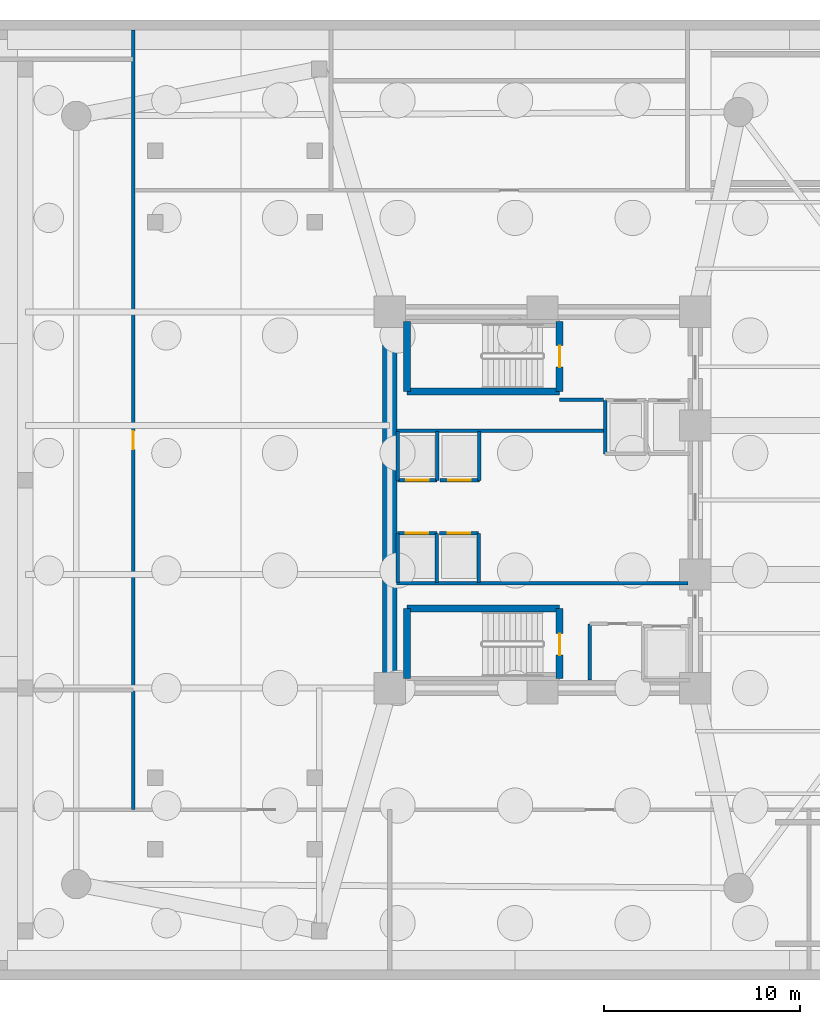
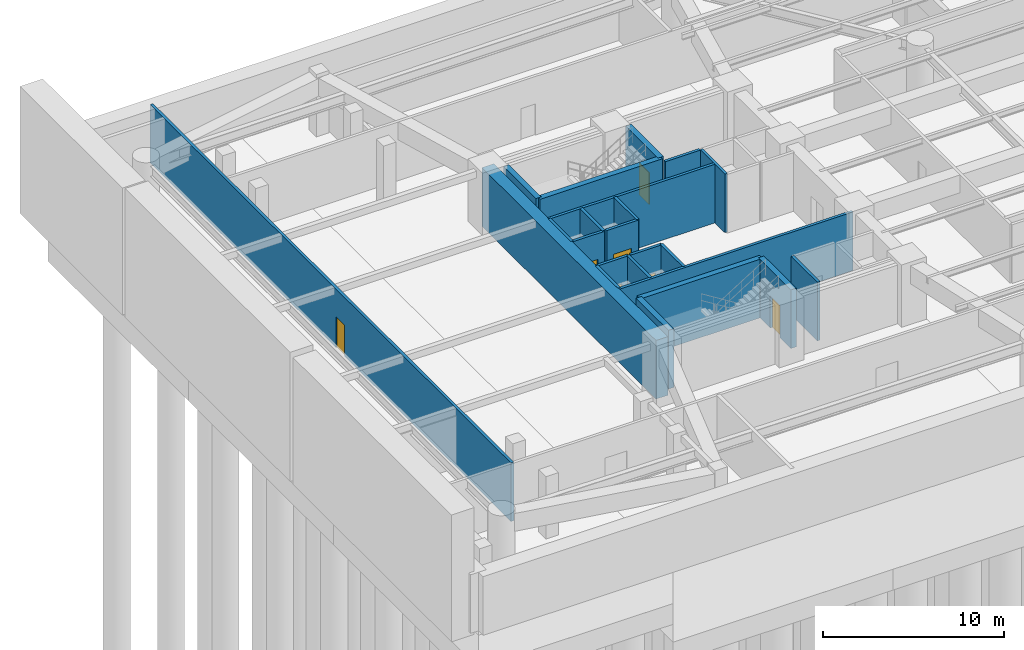
# One storey, part 3 of 8: 23 walls, 7 doors, 7 openings.
"""IFC4 building model written with IfcOpenShell, lengths in metres."""

from ifc_helpers import new_model, si_unit, direction, frame, frame_2d, origin, place, context, subcontext, project, spatial, rectangle, extrude, material, layer, layer_set, type_object, element, fill, save


model = new_model("IFC4")

# Units and contexts
model_context = context("Model", 3, precision=1e-05, world=origin(), true_north=direction((0.0, 1.0)))
body_context = subcontext(model_context, "Body", "Model", "MODEL_VIEW")
ifc_project = project(units=[si_unit("LENGTHUNIT", "METRE"), si_unit("AREAUNIT", "SQUARE_METRE"), si_unit("VOLUMEUNIT", "CUBIC_METRE"), si_unit("PLANEANGLEUNIT", "RADIAN"), si_unit("MASSUNIT", "GRAM", prefix="KILO")], contexts=[model_context])

# Site, building, storey
site_placement = place(None, origin())
site = spatial("IfcSite", under=ifc_project, at=site_placement, CompositionType="ELEMENT")
building_placement = place(site_placement, origin())
building = spatial("IfcBuilding", under=site, at=building_placement, Name="An Khanh Terracotta Commons", CompositionType="ELEMENT")
storey_placement = place(building_placement, frame((0.0, 0.0, -8.39990234375)))
storey = spatial("IfcBuildingStorey", under=building, at=storey_placement, Name="B02", CompositionType="ELEMENT", Elevation=-8.39990234375)

# Walls
ifc_material_1 = material(Name="Concrete C70/85", Category="concrete")
ifc_layer_1 = layer(ifc_material_1, 0.75, Name="Concrete C70/85")
ifc_layer_set_1 = layer_set([ifc_layer_1], Name="Concrete C70/85")
wall_type_1 = type_object("IfcWallType", Name="WALL-CORE-750", PredefinedType="SHEAR", material=ifc_layer_set_1)
wall_1_placement = place(storey_placement, frame((21.60009765625, 14.39990234375, 0.0), z_axis=(0.0, 0.0, 1.0), x_axis=(0.0, 1.0, 0.0)))
element("IfcWall", 1, at=wall_1_placement, inside=storey, type_object=wall_type_1, Name="B02 Core Wall CWALL-B02-W", PredefinedType="SHEAR", context=body_context, shape_type="SweptSolid", body=[
    extrude(rectangle(XDim=19.2001953125, YDim=0.75, at=frame_2d((9.60009765625, 0.0))), origin(), (0.0, 0.0, 1.0), 3.949951171875),
])
ifc_material_2 = material(Name="Fire-Rated Gypsum Board on Steel Stud", Category="steel")
ifc_layer_2 = layer(ifc_material_2, 0.179931640625, Name="Fire-Rated Gypsum Board on Steel Stud")
ifc_layer_set_2 = layer_set([ifc_layer_2], Name="Fire-Rated Gypsum Board on Steel Stud")
wall_type_2 = type_object("IfcWallType", Name="WALL-CORR-180", PredefinedType="PARTITIONING", material=ifc_layer_set_2)
wall_2_placement = place(storey_placement, frame((30.27001953125, 29.1201171875, 0.0), z_axis=(0.0, 0.0, 1.0), x_axis=(1.0, 0.0, 0.0)))
element("IfcWall", 2, at=wall_2_placement, inside=storey, type_object=wall_type_2, Name="B02 Core Wall FFLW-B02-S", PredefinedType="PARTITIONING", context=body_context, shape_type="SweptSolid", body=[
    extrude(rectangle(XDim=2.239990234375, YDim=0.179931640625, at=frame_2d((1.1201171875, 0.0))), origin(), (0.0, 0.0, 1.0), 3.949951171875),
])
wall_3_placement = place(storey_placement, frame((21.949951171875, 27.5400390625, 0.0), z_axis=(0.0, 0.0, 1.0), x_axis=(1.0, 0.0, 0.0)))
element("IfcWall", 3, at=wall_3_placement, inside=storey, type_object=wall_type_2, Name="B02 Core Wall RSRW-B02-S", PredefinedType="PARTITIONING", context=body_context, shape_type="SweptSolid", body=[
    extrude(rectangle(XDim=10.56005859375, YDim=0.179931640625, at=frame_2d((5.280029296875, 0.0))), origin(), (0.0, 0.0, 1.0), 3.949951171875),
])
wall_4_placement = place(storey_placement, frame((21.949951171875, 19.760009765625, 0.0), z_axis=(0.0, 0.0, 1.0), x_axis=(1.0, 0.0, 0.0)))
element("IfcWall", 4, at=wall_4_placement, inside=storey, type_object=wall_type_2, Name="B02 Core Wall SVW-B02-N", PredefinedType="PARTITIONING", context=body_context, shape_type="SweptSolid", body=[
    extrude(rectangle(XDim=14.8701171875, YDim=0.179931640625, at=frame_2d((7.43505859375, 0.0))), origin(), (0.0, 0.0, 1.0), 3.949951171875),
])
wall_5_placement = place(storey_placement, frame((31.820068359375, 14.800048828125, 0.0), z_axis=(0.0, 0.0, 1.0), x_axis=(0.0, 1.0, 0.0)))
element("IfcWall", 5, at=wall_5_placement, inside=storey, type_object=wall_type_2, Name="B02 Core Wall SSVCW-B02-W", PredefinedType="PARTITIONING", context=body_context, shape_type="SweptSolid", body=[
    extrude(rectangle(XDim=2.8798828125, YDim=0.179931640625, at=frame_2d((1.43994140625, 0.0))), origin(), (0.0, 0.0, 1.0), 3.949951171875),
])
wall_6_placement = place(storey_placement, frame((32.60009765625, 29.080078125, 0.0), z_axis=(0.0, 0.0, 1.0), x_axis=(0.0, -1.0, 0.0)))
element("IfcWall", 6, at=wall_6_placement, inside=storey, type_object=wall_type_2, Name="B02 Core Wall LSH-B02-FFL-01-W", PredefinedType="PARTITIONING", context=body_context, shape_type="SweptSolid", body=[
    extrude(rectangle(XDim=2.72998046875, YDim=0.179931640625, at=frame_2d((1.364990234375, 0.0))), origin(), (0.0, 0.0, 1.0), 3.949951171875),
])

# Wall, opening, door
wall_7_placement = place(storey_placement, frame((24.02001953125, 25.0, 0.0), z_axis=(0.0, 0.0, 1.0), x_axis=(-1.0, 0.0, 0.0)))
wall_7 = element("IfcWall", 7, at=wall_7_placement, inside=storey, type_object=wall_type_2, Name="B02 Core Wall LSH-B02-PL-L1-S", PredefinedType="PARTITIONING", context=body_context, shape_type="SweptSolid", body=[
    extrude(rectangle(XDim=2.02001953125, YDim=0.179931640625, at=frame_2d((1.010009765625, 0.0))), origin(), (0.0, 0.0, 1.0), 3.949951171875),
])
opening_1_placement = place(wall_7_placement, frame((0.43505859375, 0.0, 0.0)))
opening_1 = element("IfcOpeningElement", 8, at=opening_1_placement, cuts=wall_7, Name="Opening LD-PL-L1-B02", PredefinedType="OPENING", context=body_context, shape_type="SweptSolid", body=[
    extrude(rectangle(XDim=1.14990234375, YDim=2.199951171875, at=frame_2d((0.574951171875, 1.10009765625))), frame((0.0, 0.099853515625, 0.0), z_axis=(0.0, -1.0, 0.0), x_axis=(1.0, 0.0, 0.0)), (0.0, 0.0, 1.0), 0.199951171875),
])
ifc_material_3 = material(Name="Brushed Stainless Steel Passenger Landing Door", Category="steel")
door_type_1 = type_object("IfcDoorType", Name="DOOR-LD-PAX-1150", OperationType="NOTDEFINED", PredefinedType="DOOR", material=ifc_material_3)
door_1_placement = place(opening_1_placement, origin())
door_1 = element("IfcDoor", 9, at=door_1_placement, inside=storey, type_object=door_type_1, Name="B02 Lift PL-L1 Sliding Landing Door", OperationType="DOUBLE_DOOR_SLIDING", OverallHeight=2.199951171875, OverallWidth=1.14990234375, PredefinedType="DOOR", context=body_context, shape_type="SweptSolid", body=[
    extrude(rectangle(XDim=1.14990234375, YDim=2.199951171875, at=frame_2d((0.574951171875, 1.10009765625))), frame((0.0, 0.02490234375, 0.0), z_axis=(0.0, -1.0, 0.0), x_axis=(1.0, 0.0, 0.0)), (0.0, 0.0, 1.0), 0.050048828125),
])
fill(opening_1, door_1)

# Walls
for number, where, z_axis, x_axis, name in (
    (10, (24.02001953125, 25.0, 0.0), (0.0, 0.0, 1.0), (0.0, 1.0, 0.0), "B02 Core Wall LSH-B02-PL-L1-E"),
    (11, (22.0, 27.5, 0.0), (0.0, 0.0, 1.0), (0.0, -1.0, 0.0), "B02 Core Wall LSH-B02-PL-L1-W"),
):
    element("IfcWall", number, at=place(storey_placement, frame(where, z_axis=z_axis, x_axis=x_axis)), inside=storey, type_object=wall_type_2, Name=name, PredefinedType="PARTITIONING", context=body_context, shape_type="SweptSolid", body=[
        extrude(rectangle(XDim=2.5, YDim=0.179931640625, at=frame_2d((1.25, 0.0))), origin(), (0.0, 0.0, 1.0), 3.949951171875),
    ])

# Wall, opening, door
wall_8_placement = place(storey_placement, frame((26.179931640625, 25.0, 0.0), z_axis=(0.0, 0.0, 1.0), x_axis=(-1.0, 0.0, 0.0)))
wall_8 = element("IfcWall", 12, at=wall_8_placement, inside=storey, type_object=wall_type_2, Name="B02 Core Wall LSH-B02-PL-L2-S", PredefinedType="PARTITIONING", context=body_context, shape_type="SweptSolid", body=[
    extrude(rectangle(XDim=2.02001953125, YDim=0.179931640625, at=frame_2d((1.010009765625, 0.0))), origin(), (0.0, 0.0, 1.0), 3.949951171875),
])
opening_2_placement = place(wall_8_placement, frame((0.43505859375, 0.0, 0.0)))
opening_2 = element("IfcOpeningElement", 13, at=opening_2_placement, cuts=wall_8, Name="Opening LD-PL-L2-B02", PredefinedType="OPENING", context=body_context, shape_type="SweptSolid", body=[
    extrude(rectangle(XDim=1.14990234375, YDim=2.199951171875, at=frame_2d((0.574951171875, 1.10009765625))), frame((0.0, 0.099853515625, 0.0), z_axis=(0.0, -1.0, 0.0), x_axis=(1.0, 0.0, 0.0)), (0.0, 0.0, 1.0), 0.199951171875),
])
door_2_placement = place(opening_2_placement, origin())
door_2 = element("IfcDoor", 14, at=door_2_placement, inside=storey, type_object=door_type_1, Name="B02 Lift PL-L2 Sliding Landing Door", OperationType="DOUBLE_DOOR_SLIDING", OverallHeight=2.199951171875, OverallWidth=1.14990234375, PredefinedType="DOOR", context=body_context, shape_type="SweptSolid", body=[
    extrude(rectangle(XDim=1.14990234375, YDim=2.199951171875, at=frame_2d((0.574951171875, 1.10009765625))), frame((0.0, 0.02490234375, 0.0), z_axis=(0.0, -1.0, 0.0), x_axis=(1.0, 0.0, 0.0)), (0.0, 0.0, 1.0), 0.050048828125),
])
fill(opening_2, door_2)

# Wall
wall_9_placement = place(storey_placement, frame((26.179931640625, 25.0, 0.0), z_axis=(0.0, 0.0, 1.0), x_axis=(0.0, 1.0, 0.0)))
element("IfcWall", 15, at=wall_9_placement, inside=storey, type_object=wall_type_2, Name="B02 Core Wall LSH-B02-PL-L2-E", PredefinedType="PARTITIONING", context=body_context, shape_type="SweptSolid", body=[
    extrude(rectangle(XDim=2.5, YDim=0.179931640625, at=frame_2d((1.25, 0.0))), origin(), (0.0, 0.0, 1.0), 3.949951171875),
])

# Wall, opening, door
wall_10_placement = place(storey_placement, frame((22.0, 22.300048828125, 0.0), z_axis=(0.0, 0.0, 1.0), x_axis=(1.0, 0.0, 0.0)))
wall_10 = element("IfcWall", 16, at=wall_10_placement, inside=storey, type_object=wall_type_2, Name="B02 Core Wall LSH-B02-PL-L3-N", PredefinedType="PARTITIONING", context=body_context, shape_type="SweptSolid", body=[
    extrude(rectangle(XDim=2.0, YDim=0.179931640625, at=frame_2d((1.0, 0.0))), origin(), (0.0, 0.0, 1.0), 3.949951171875),
])
opening_3_placement = place(wall_10_placement, frame((0.425048828125, 0.0, 0.0)))
opening_3 = element("IfcOpeningElement", 17, at=opening_3_placement, cuts=wall_10, Name="Opening LD-PL-L3-B02", PredefinedType="OPENING", context=body_context, shape_type="SweptSolid", body=[
    extrude(rectangle(XDim=1.14990234375, YDim=2.199951171875, at=frame_2d((0.574951171875, 1.10009765625))), frame((0.0, 0.099853515625, 0.0), z_axis=(0.0, -1.0, 0.0), x_axis=(1.0, 0.0, 0.0)), (0.0, 0.0, 1.0), 0.199951171875),
])
door_3_placement = place(opening_3_placement, origin())
door_3 = element("IfcDoor", 18, at=door_3_placement, inside=storey, type_object=door_type_1, Name="B02 Lift PL-L3 Sliding Landing Door", OperationType="DOUBLE_DOOR_SLIDING", OverallHeight=2.199951171875, OverallWidth=1.14990234375, PredefinedType="DOOR", context=body_context, shape_type="SweptSolid", body=[
    extrude(rectangle(XDim=1.14990234375, YDim=2.199951171875, at=frame_2d((0.574951171875, 1.10009765625))), frame((0.0, 0.02490234375, 0.0), z_axis=(0.0, -1.0, 0.0), x_axis=(1.0, 0.0, 0.0)), (0.0, 0.0, 1.0), 0.050048828125),
])
fill(opening_3, door_3)

# Walls
for number, where, z_axis, x_axis, name in (
    (19, (24.0, 19.800048828125, 0.0), (0.0, 0.0, 1.0), (0.0, 1.0, 0.0), "B02 Core Wall LSH-B02-PL-L3-E"),
    (20, (22.0, 22.300048828125, 0.0), (0.0, 0.0, 1.0), (0.0, -1.0, 0.0), "B02 Core Wall LSH-B02-PL-L3-W"),
):
    element("IfcWall", number, at=place(storey_placement, frame(where, z_axis=z_axis, x_axis=x_axis)), inside=storey, type_object=wall_type_2, Name=name, PredefinedType="PARTITIONING", context=body_context, shape_type="SweptSolid", body=[
        extrude(rectangle(XDim=2.5, YDim=0.179931640625, at=frame_2d((1.25, 0.0))), origin(), (0.0, 0.0, 1.0), 3.949951171875),
    ])

# Wall, opening, door
wall_11_placement = place(storey_placement, frame((24.139892578125, 22.300048828125, 0.0), z_axis=(0.0, 0.0, 1.0), x_axis=(1.0, 0.0, 0.0)))
wall_11 = element("IfcWall", 21, at=wall_11_placement, inside=storey, type_object=wall_type_2, Name="B02 Core Wall LSH-B02-PL-L4-N", PredefinedType="PARTITIONING", context=body_context, shape_type="SweptSolid", body=[
    extrude(rectangle(XDim=2.0, YDim=0.179931640625, at=frame_2d((1.0, 0.0))), origin(), (0.0, 0.0, 1.0), 3.949951171875),
])
opening_4_placement = place(wall_11_placement, frame((0.425048828125, 0.0, 0.0)))
opening_4 = element("IfcOpeningElement", 22, at=opening_4_placement, cuts=wall_11, Name="Opening LD-PL-L4-B02", PredefinedType="OPENING", context=body_context, shape_type="SweptSolid", body=[
    extrude(rectangle(XDim=1.14990234375, YDim=2.199951171875, at=frame_2d((0.574951171875, 1.10009765625))), frame((0.0, 0.099853515625, 0.0), z_axis=(0.0, -1.0, 0.0), x_axis=(1.0, 0.0, 0.0)), (0.0, 0.0, 1.0), 0.199951171875),
])
door_4_placement = place(opening_4_placement, origin())
door_4 = element("IfcDoor", 23, at=door_4_placement, inside=storey, type_object=door_type_1, Name="B02 Lift PL-L4 Sliding Landing Door", OperationType="DOUBLE_DOOR_SLIDING", OverallHeight=2.199951171875, OverallWidth=1.14990234375, PredefinedType="DOOR", context=body_context, shape_type="SweptSolid", body=[
    extrude(rectangle(XDim=1.14990234375, YDim=2.199951171875, at=frame_2d((0.574951171875, 1.10009765625))), frame((0.0, 0.02490234375, 0.0), z_axis=(0.0, -1.0, 0.0), x_axis=(1.0, 0.0, 0.0)), (0.0, 0.0, 1.0), 0.050048828125),
])
fill(opening_4, door_4)

# Wall
wall_12_placement = place(storey_placement, frame((26.139892578125, 19.800048828125, 0.0), z_axis=(0.0, 0.0, 1.0), x_axis=(0.0, 1.0, 0.0)))
element("IfcWall", 24, at=wall_12_placement, inside=storey, type_object=wall_type_2, Name="B02 Core Wall LSH-B02-PL-L4-E", PredefinedType="PARTITIONING", context=body_context, shape_type="SweptSolid", body=[
    extrude(rectangle(XDim=2.5, YDim=0.179931640625, at=frame_2d((1.25, 0.0))), origin(), (0.0, 0.0, 1.0), 3.949951171875),
])

# Wall, opening, door
wall_13_placement = place(storey_placement, frame((8.5, 8.199951171875, 0.0), z_axis=(0.0, 0.0, 1.0), x_axis=(0.0, 1.0, 0.0)))
wall_13 = element("IfcWall", 25, at=wall_13_placement, inside=storey, type_object=wall_type_2, Name="B02 Interior Partition IW-B02-E013", PredefinedType="PARTITIONING", context=body_context, shape_type="SweptSolid", body=[
    extrude(rectangle(XDim=39.800048828125, YDim=0.179931640625, at=frame_2d((19.89990234375, 0.0))), origin(), (0.0, 0.0, 1.0), 3.949951171875),
])
opening_5_placement = place(wall_13_placement, frame((18.389892578125, 0.0, 0.0)))
opening_5 = element("IfcOpeningElement", 26, at=opening_5_placement, cuts=wall_13, Name="Opening D-RM", PredefinedType="OPENING", context=body_context, shape_type="SweptSolid", body=[
    extrude(rectangle(XDim=0.919921875, YDim=2.10009765625, at=frame_2d((0.4599609375, 1.050048828125))), frame((0.0, 0.099853515625, 0.0), z_axis=(0.0, -1.0, 0.0), x_axis=(1.0, 0.0, 0.0)), (0.0, 0.0, 1.0), 0.199951171875),
])
ifc_material_4 = material(Name="Engineered Hardwood Timber Leaf", Category="wood")
door_type_2 = type_object("IfcDoorType", Name="DOOR-INT-920", OperationType="NOTDEFINED", PredefinedType="DOOR", material=ifc_material_4)
door_5_placement = place(opening_5_placement, origin())
door_5 = element("IfcDoor", 27, at=door_5_placement, inside=storey, type_object=door_type_2, Name="B02 CYC Bicycle and Electric Two-Wheeler Storage Door", OperationType="SINGLE_SWING_LEFT", OverallHeight=2.10009765625, OverallWidth=0.919921875, PredefinedType="DOOR", context=body_context, shape_type="SweptSolid", body=[
    extrude(rectangle(XDim=0.919921875, YDim=2.10009765625, at=frame_2d((0.4599609375, 1.050048828125))), frame((0.0, 0.02490234375, 0.0), z_axis=(0.0, -1.0, 0.0), x_axis=(1.0, 0.0, 0.0)), (0.0, 0.0, 1.0), 0.050048828125),
])
fill(opening_5, door_5)

# Walls
ifc_material_5 = material(Name="Concrete C50/60", Category="concrete")
ifc_layer_3 = layer(ifc_material_5, 0.35009765625, Name="Concrete C50/60")
ifc_layer_set_3 = layer_set([ifc_layer_3], Name="Concrete C50/60")
wall_type_3 = type_object("IfcWallType", Name="WALL-SHAFT-350", PredefinedType="SOLIDWALL", material=ifc_layer_set_3)
wall_14_placement = place(storey_placement, frame((22.47998046875, 29.530029296875, 0.0), z_axis=(0.0, 0.0, 1.0), x_axis=(1.0, 0.0, 0.0)))
element("IfcWall", 28, at=wall_14_placement, inside=storey, type_object=wall_type_3, Name="B02 Core Wall STW-B02-N-S", PredefinedType="SOLIDWALL", context=body_context, shape_type="SweptSolid", body=[
    extrude(rectangle(XDim=7.7900390625, YDim=0.35009765625, at=frame_2d((3.89501953125, 0.0))), origin(), (0.0, 0.0, 1.0), 3.949951171875),
])
wall_15_placement = place(storey_placement, frame((22.47998046875, 29.530029296875, 0.0), z_axis=(0.0, 0.0, 1.0), x_axis=(0.0, 1.0, 0.0)))
element("IfcWall", 29, at=wall_15_placement, inside=storey, type_object=wall_type_3, Name="B02 Core Wall STW-B02-N-W", PredefinedType="SOLIDWALL", context=body_context, shape_type="SweptSolid", body=[
    extrude(rectangle(XDim=3.580078125, YDim=0.35009765625, at=frame_2d((1.7900390625, 0.0))), origin(), (0.0, 0.0, 1.0), 3.949951171875),
])

# Wall, opening, door
wall_16_placement = place(storey_placement, frame((30.27001953125, 29.530029296875, 0.0), z_axis=(0.0, 0.0, 1.0), x_axis=(0.0, 1.0, 0.0)))
wall_16 = element("IfcWall", 30, at=wall_16_placement, inside=storey, type_object=wall_type_3, Name="B02 Core Wall STW-B02-N-E", PredefinedType="SOLIDWALL", context=body_context, shape_type="SweptSolid", body=[
    extrude(rectangle(XDim=3.580078125, YDim=0.35009765625, at=frame_2d((1.7900390625, 0.0))), origin(), (0.0, 0.0, 1.0), 3.949951171875),
])
opening_6_placement = place(wall_16_placement, frame((1.25, 0.0, 0.0)))
opening_6 = element("IfcOpeningElement", 31, at=opening_6_placement, cuts=wall_16, Name="Opening D-ST", PredefinedType="OPENING", context=body_context, shape_type="SweptSolid", body=[
    extrude(rectangle(XDim=1.10009765625, YDim=2.14990234375, at=frame_2d((0.550048828125, 1.074951171875))), frame((0.0, 0.18505859375, 0.0), z_axis=(0.0, -1.0, 0.0), x_axis=(1.0, 0.0, 0.0)), (0.0, 0.0, 1.0), 0.3701171875),
])
ifc_material_6 = material(Name="Fire-Rated Steel Leaf and Frame", Category="steel")
door_type_3 = type_object("IfcDoorType", Name="DOOR-STAIR-1100", OperationType="NOTDEFINED", PredefinedType="DOOR", material=ifc_material_6)
door_6_placement = place(opening_6_placement, origin())
door_6 = element("IfcDoor", 32, at=door_6_placement, inside=storey, type_object=door_type_3, Name="B02 Stair ST-01 Fire Door", OperationType="SINGLE_SWING_RIGHT", OverallHeight=2.14990234375, OverallWidth=1.10009765625, PredefinedType="DOOR", context=body_context, shape_type="SweptSolid", body=[
    extrude(rectangle(XDim=1.10009765625, YDim=2.14990234375, at=frame_2d((0.550048828125, 1.074951171875))), frame((0.0, 0.02490234375, 0.0), z_axis=(0.0, -1.0, 0.0), x_axis=(1.0, 0.0, 0.0)), (0.0, 0.0, 1.0), 0.050048828125),
])
fill(opening_6, door_6)

# Walls
wall_17_placement = place(storey_placement, frame((22.47998046875, 18.469970703125, 0.0), z_axis=(0.0, 0.0, 1.0), x_axis=(1.0, 0.0, 0.0)))
element("IfcWall", 33, at=wall_17_placement, inside=storey, type_object=wall_type_3, Name="B02 Core Wall STW-B02-S-N", PredefinedType="SOLIDWALL", context=body_context, shape_type="SweptSolid", body=[
    extrude(rectangle(XDim=7.7900390625, YDim=0.35009765625, at=frame_2d((3.89501953125, 0.0))), origin(), (0.0, 0.0, 1.0), 3.949951171875),
])
wall_18_placement = place(storey_placement, frame((22.47998046875, 14.889892578125, 0.0), z_axis=(0.0, 0.0, 1.0), x_axis=(0.0, 1.0, 0.0)))
element("IfcWall", 34, at=wall_18_placement, inside=storey, type_object=wall_type_3, Name="B02 Core Wall STW-B02-S-W", PredefinedType="SOLIDWALL", context=body_context, shape_type="SweptSolid", body=[
    extrude(rectangle(XDim=3.580078125, YDim=0.35009765625, at=frame_2d((1.7900390625, 0.0))), origin(), (0.0, 0.0, 1.0), 3.949951171875),
])

# Wall, opening, door
wall_19_placement = place(storey_placement, frame((30.27001953125, 14.889892578125, 0.0), z_axis=(0.0, 0.0, 1.0), x_axis=(0.0, 1.0, 0.0)))
wall_19 = element("IfcWall", 35, at=wall_19_placement, inside=storey, type_object=wall_type_3, Name="B02 Core Wall STW-B02-S-E", PredefinedType="SOLIDWALL", context=body_context, shape_type="SweptSolid", body=[
    extrude(rectangle(XDim=3.580078125, YDim=0.35009765625, at=frame_2d((1.7900390625, 0.0))), origin(), (0.0, 0.0, 1.0), 3.949951171875),
])
opening_7_placement = place(wall_19_placement, frame((1.18994140625, 0.0, 0.0)))
opening_7 = element("IfcOpeningElement", 36, at=opening_7_placement, cuts=wall_19, Name="Opening D-ST", PredefinedType="OPENING", context=body_context, shape_type="SweptSolid", body=[
    extrude(rectangle(XDim=1.10009765625, YDim=2.14990234375, at=frame_2d((0.550048828125, 1.074951171875))), frame((0.0, 0.18505859375, 0.0), z_axis=(0.0, -1.0, 0.0), x_axis=(1.0, 0.0, 0.0)), (0.0, 0.0, 1.0), 0.3701171875),
])
door_7_placement = place(opening_7_placement, origin())
door_7 = element("IfcDoor", 37, at=door_7_placement, inside=storey, type_object=door_type_3, Name="B02 Stair ST-02 Fire Door", OperationType="SINGLE_SWING_LEFT", OverallHeight=2.14990234375, OverallWidth=1.10009765625, PredefinedType="DOOR", context=body_context, shape_type="SweptSolid", body=[
    extrude(rectangle(XDim=1.10009765625, YDim=2.14990234375, at=frame_2d((0.550048828125, 1.074951171875))), frame((0.0, 0.02490234375, 0.0), z_axis=(0.0, -1.0, 0.0), x_axis=(1.0, 0.0, 0.0)), (0.0, 0.0, 1.0), 0.050048828125),
])
fill(opening_7, door_7)

save(model, "model.ifc")
